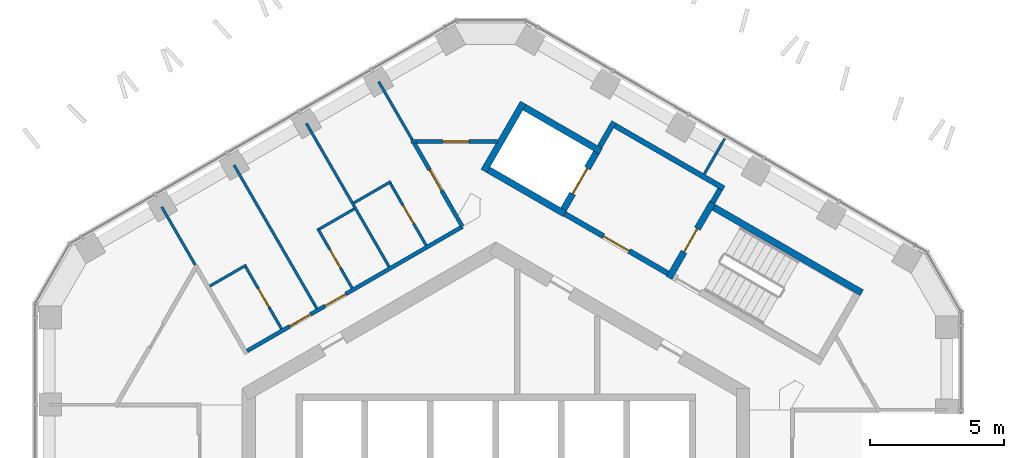
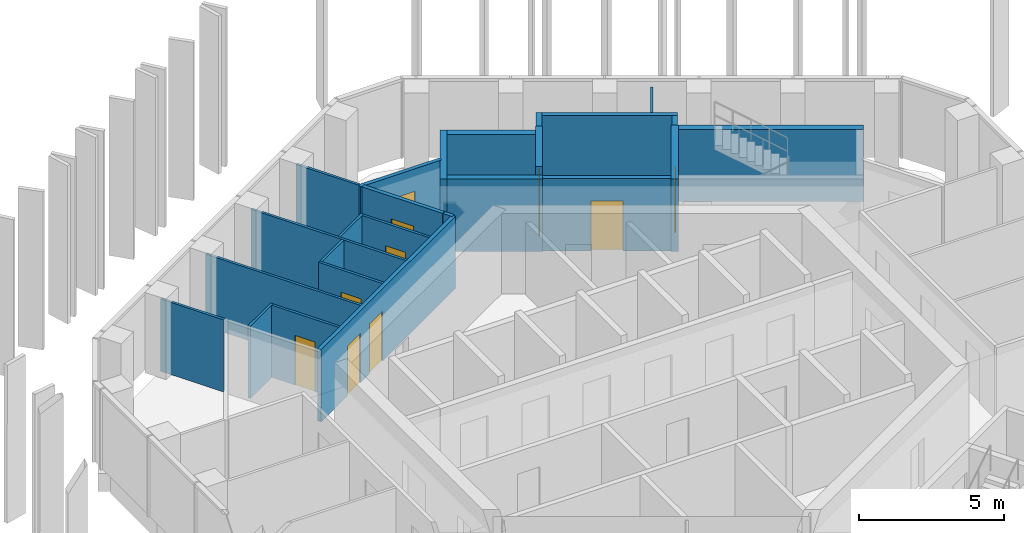
# One storey, part 14 of 18: 25 walls, 10 doors, 10 openings.
"""IFC4 building model written with IfcOpenShell, lengths in metres."""

from ifc_helpers import new_model, si_unit, direction, frame, frame_2d, origin, place, context, subcontext, project, spatial, rectangle, extrude, material, layer, layer_set, type_object, element, fill, save


model = new_model("IFC4")

# Units and contexts
model_context = context("Model", 3, precision=1e-05, world=origin(), true_north=direction((0.0, 1.0)))
body_context = subcontext(model_context, "Body", "Model", "MODEL_VIEW")
ifc_project = project(units=[si_unit("LENGTHUNIT", "METRE"), si_unit("AREAUNIT", "SQUARE_METRE"), si_unit("VOLUMEUNIT", "CUBIC_METRE"), si_unit("PLANEANGLEUNIT", "RADIAN"), si_unit("MASSUNIT", "GRAM", prefix="KILO")], contexts=[model_context])

# Site, building, storey
site_placement = place(None, origin())
site = spatial("IfcSite", under=ifc_project, at=site_placement, CompositionType="ELEMENT")
building_placement = place(site_placement, origin())
building = spatial("IfcBuilding", under=site, at=building_placement, Name="Ayvan Gate Tower", CompositionType="ELEMENT")
storey_placement = place(building_placement, frame((0.0, 0.0, 229.10009765625)))
storey = spatial("IfcBuildingStorey", under=building, at=storey_placement, Name="L61", CompositionType="ELEMENT", Elevation=229.10009765625)

# Wall, openings, doors
ifc_material_1 = material(Name="Plasterboard on steel stud", Category="steel")
ifc_layer_1 = layer(ifc_material_1, 0.14990234375)
ifc_layer_set_1 = layer_set([ifc_layer_1], Name="Plasterboard on steel stud")
wall_type_1 = type_object("IfcWallType", Name="WT-CORR-150", PredefinedType="PARTITIONING", material=ifc_layer_set_1)
wall_1_placement = place(storey_placement, frame((-9.304443359375, 6.89111328125, 0.0), z_axis=(0.0, 0.0, 1.0), x_axis=(0.86602776855, 0.499995904083, 0.0)))
wall_1 = element("IfcWall", 1, at=wall_1_placement, inside=storey, type_object=wall_type_1, Name="IW-L61-011", PredefinedType="PARTITIONING", context=body_context, shape_type="SweptSolid", body=[
    extrude(rectangle(XDim=9.2998046875, YDim=0.14990234375, at=frame_2d((4.64990234375, 0.0))), origin(), (0.0, 0.0, 1.0), 3.0498046875),
])
opening_1_placement = place(wall_1_placement, frame((3.3623046875, 0.0, 0.0)))
opening_1 = element("IfcOpeningElement", 2, at=opening_1_placement, cuts=wall_1, Name="Opening L61-D33", PredefinedType="OPENING", context=body_context, shape_type="SweptSolid", body=[
    extrude(rectangle(XDim=0.89990234375, YDim=2.10009765625, at=frame_2d((0.449951171875, 1.050048828125))), frame((0.0, 0.0849609375, 0.0), z_axis=(0.0, -1.0, 0.0), x_axis=(1.0, 0.0, 0.0)), (0.0, 0.0, 1.0), 0.169921875),
])
opening_2_placement = place(wall_1_placement, frame((1.83740234375, 0.0, 0.0)))
opening_2 = element("IfcOpeningElement", 3, at=opening_2_placement, cuts=wall_1, Name="Opening L61-D35", PredefinedType="OPENING", context=body_context, shape_type="SweptSolid", body=[
    extrude(rectangle(XDim=0.89990234375, YDim=2.10009765625, at=frame_2d((0.449951171875, 1.050048828125))), frame((0.0, 0.0849609375, 0.0), z_axis=(0.0, -1.0, 0.0), x_axis=(1.0, 0.0, 0.0)), (0.0, 0.0, 1.0), 0.169921875),
])
ifc_material_2 = material(Name="Timber door leaf", Category="wood")
door_type_1 = type_object("IfcDoorType", Name="DT-900", OperationType="NOTDEFINED", PredefinedType="DOOR", material=ifc_material_2)
door_1_placement = place(opening_1_placement, origin())
door_1 = element("IfcDoor", 4, at=door_1_placement, inside=storey, type_object=door_type_1, Name="ID-L61-033", OperationType="SINGLE_SWING_RIGHT", OverallHeight=2.10009765625, OverallWidth=0.89990234375, PredefinedType="DOOR", context=body_context, shape_type="SweptSolid", body=[
    extrude(rectangle(XDim=0.89990234375, YDim=2.10009765625, at=frame_2d((0.449951171875, 1.050048828125))), frame((0.0, 0.02490234375, 0.0), z_axis=(0.0, -1.0, 0.0), x_axis=(1.0, 0.0, 0.0)), (0.0, 0.0, 1.0), 0.050048828125),
])
fill(opening_1, door_1)
door_2_placement = place(opening_2_placement, origin())
door_2 = element("IfcDoor", 5, at=door_2_placement, inside=storey, type_object=door_type_1, Name="ID-L61-035", OperationType="SINGLE_SWING_RIGHT", OverallHeight=2.10009765625, OverallWidth=0.89990234375, PredefinedType="DOOR", context=body_context, shape_type="SweptSolid", body=[
    extrude(rectangle(XDim=0.89990234375, YDim=2.10009765625, at=frame_2d((0.449951171875, 1.050048828125))), frame((0.0, 0.02490234375, 0.0), z_axis=(0.0, -1.0, 0.0), x_axis=(1.0, 0.0, 0.0)), (0.0, 0.0, 1.0), 0.050048828125),
])
fill(opening_2, door_2)

# Wall, opening, door
wall_2_placement = place(storey_placement, frame((-3.168701171875, 14.733154296875, 0.0), z_axis=(0.0, 0.0, 1.0), x_axis=(1.0, 0.0, 0.0)))
wall_2 = element("IfcWall", 6, at=wall_2_placement, inside=storey, type_object=wall_type_1, Name="IW-L61-029", PredefinedType="PARTITIONING", context=body_context, shape_type="SweptSolid", body=[
    extrude(rectangle(XDim=3.236083984375, YDim=0.14990234375, at=frame_2d((1.6181640625, 0.0))), origin(), (0.0, 0.0, 1.0), 3.0498046875),
])
opening_3_placement = place(wall_2_placement, frame((1.1728515625, 0.0, 0.0)))
opening_3 = element("IfcOpeningElement", 7, at=opening_3_placement, cuts=wall_2, Name="Opening L61-D25", PredefinedType="OPENING", context=body_context, shape_type="SweptSolid", body=[
    extrude(rectangle(XDim=1.0, YDim=2.10009765625, at=frame_2d((0.5, 1.050048828125))), frame((0.0, 0.0849609375, 0.0), z_axis=(0.0, -1.0, 0.0), x_axis=(1.0, 0.0, 0.0)), (0.0, 0.0, 1.0), 0.169921875),
])
door_type_2 = type_object("IfcDoorType", Name="DT-1000", OperationType="NOTDEFINED", PredefinedType="DOOR", material=ifc_material_2)
door_3_placement = place(opening_3_placement, origin())
door_3 = element("IfcDoor", 8, at=door_3_placement, inside=storey, type_object=door_type_2, Name="ID-L61-025", OperationType="SINGLE_SWING_RIGHT", OverallHeight=2.10009765625, OverallWidth=1.0, PredefinedType="DOOR", context=body_context, shape_type="SweptSolid", body=[
    extrude(rectangle(XDim=1.0, YDim=2.10009765625, at=frame_2d((0.5, 1.050048828125))), frame((0.0, 0.02490234375, 0.0), z_axis=(0.0, -1.0, 0.0), x_axis=(1.0, 0.0, 0.0)), (0.0, 0.0, 1.0), 0.050048828125),
])
fill(opening_3, door_3)

wall_3_placement = place(storey_placement, frame((-1.45068359375, 11.887451171875, 0.0), z_axis=(0.0, 0.0, 1.0), x_axis=(-0.499998884236, 0.86602604797, 0.0)))
wall_3 = element("IfcWall", 9, at=wall_3_placement, inside=storey, type_object=wall_type_1, Name="IW-L61-036", PredefinedType="PARTITIONING", context=body_context, shape_type="SweptSolid", body=[
    extrude(rectangle(XDim=3.2109375, YDim=0.14990234375, at=frame_2d((1.60546875, 0.0))), origin(), (0.0, 0.0, 1.0), 3.0498046875),
])
opening_4_placement = place(wall_3_placement, frame((1.155517578125, 0.0, 0.0)))
opening_4 = element("IfcOpeningElement", 10, at=opening_4_placement, cuts=wall_3, Name="Opening L61-D31", PredefinedType="OPENING", context=body_context, shape_type="SweptSolid", body=[
    extrude(rectangle(XDim=0.89990234375, YDim=2.10009765625, at=frame_2d((0.449951171875, 1.050048828125))), frame((0.0, 0.0849609375, 0.0), z_axis=(0.0, -1.0, 0.0), x_axis=(1.0, 0.0, 0.0)), (0.0, 0.0, 1.0), 0.169921875),
])
door_4_placement = place(opening_4_placement, origin())
door_4 = element("IfcDoor", 11, at=door_4_placement, inside=storey, type_object=door_type_1, Name="ID-L61-031", OperationType="SINGLE_SWING_RIGHT", OverallHeight=2.10009765625, OverallWidth=0.89990234375, PredefinedType="DOOR", context=body_context, shape_type="SweptSolid", body=[
    extrude(rectangle(XDim=0.89990234375, YDim=2.10009765625, at=frame_2d((0.449951171875, 1.050048828125))), frame((0.0, 0.02490234375, 0.0), z_axis=(0.0, -1.0, 0.0), x_axis=(1.0, 0.0, 0.0)), (0.0, 0.0, 1.0), 0.050048828125),
])
fill(opening_4, door_4)

# Walls
wall_4_placement = place(storey_placement, frame((-1.440673828125, 11.8701171875, 0.0), z_axis=(0.0, 0.0, 1.0), x_axis=(0.500074377092, -0.865982457891, 0.0)))
element("IfcWall", 12, at=wall_4_placement, inside=storey, type_object=wall_type_1, Name="IW-L61-037", PredefinedType="PARTITIONING", context=body_context, shape_type="SweptSolid", body=[
    extrude(rectangle(XDim=0.3603515625, YDim=0.14990234375, at=frame_2d((0.18017578125, 0.0))), origin(), (0.0, 0.0, 1.0), 3.0498046875),
])
ifc_layer_2 = layer(ifc_material_1, 0.10009765625)
ifc_layer_set_2 = layer_set([ifc_layer_2], Name="Plasterboard on steel stud")
wall_type_2 = type_object("IfcWallType", Name="WT-PART-100", PredefinedType="PARTITIONING", material=ifc_layer_set_2)
wall_5_placement = place(storey_placement, frame((-12.503173828125, 12.28125, 0.0), z_axis=(0.0, 0.0, 1.0), x_axis=(0.499983837127, -0.866034735222, 0.0)))
element("IfcWall", 13, at=wall_5_placement, inside=storey, type_object=wall_type_2, Name="IW-L61-003", PredefinedType="PARTITIONING", context=body_context, shape_type="SweptSolid", body=[
    extrude(rectangle(XDim=2.50634765625, YDim=0.10009765625, at=frame_2d((1.253173828125, 0.0))), origin(), (0.0, 0.0, 1.0), 3.0498046875),
])
wall_6_placement = place(storey_placement, frame((-9.340576171875, 10.103515625, 0.0), z_axis=(0.0, 0.0, 1.0), x_axis=(-0.866002311072, -0.500039995618, 0.0)))
element("IfcWall", 14, at=wall_6_placement, inside=storey, type_object=wall_type_2, Name="IW-L61-010", PredefinedType="PARTITIONING", context=body_context, shape_type="SweptSolid", body=[
    extrude(rectangle(XDim=1.574951171875, YDim=0.10009765625, at=frame_2d((0.78759765625, 0.0))), origin(), (0.0, 0.0, 1.0), 3.0498046875),
])

# Wall, opening, door
wall_7_placement = place(storey_placement, frame((-8.021240234375, 7.718505859375, 0.0), z_axis=(0.0, 0.0, 1.0), x_axis=(-0.50003581814, 0.866004723184, 0.0)))
wall_7 = element("IfcWall", 15, at=wall_7_placement, inside=storey, type_object=wall_type_2, Name="IW-L61-015", PredefinedType="PARTITIONING", context=body_context, shape_type="SweptSolid", body=[
    extrude(rectangle(XDim=2.675048828125, YDim=0.10009765625, at=frame_2d((1.33740234375, 0.0))), origin(), (0.0, 0.0, 1.0), 3.0498046875),
])
opening_5_placement = place(wall_7_placement, frame((0.9375, 0.0, 0.0)))
opening_5 = element("IfcOpeningElement", 16, at=opening_5_placement, cuts=wall_7, Name="Opening L61-D36", PredefinedType="OPENING", context=body_context, shape_type="SweptSolid", body=[
    extrude(rectangle(XDim=0.800048828125, YDim=2.10009765625, at=frame_2d((0.39990234375, 1.050048828125))), frame((0.0, 0.06005859375, 0.0), z_axis=(0.0, -1.0, 0.0), x_axis=(1.0, 0.0, 0.0)), (0.0, 0.0, 1.0), 0.1201171875),
])
door_type_3 = type_object("IfcDoorType", Name="DT-800", OperationType="NOTDEFINED", PredefinedType="DOOR", material=ifc_material_2)
door_5_placement = place(opening_5_placement, origin())
door_5 = element("IfcDoor", 17, at=door_5_placement, inside=storey, type_object=door_type_3, Name="ID-L61-036", OperationType="SINGLE_SWING_LEFT", OverallHeight=2.10009765625, OverallWidth=0.800048828125, PredefinedType="DOOR", context=body_context, shape_type="SweptSolid", body=[
    extrude(rectangle(XDim=0.800048828125, YDim=2.10009765625, at=frame_2d((0.39990234375, 1.050048828125))), frame((0.0, 0.02490234375, 0.0), z_axis=(0.0, -1.0, 0.0), x_axis=(1.0, 0.0, 0.0)), (0.0, 0.0, 1.0), 0.050048828125),
])
fill(opening_5, door_5)

# Wall
wall_8_placement = place(storey_placement, frame((-6.70068359375, 8.48095703125, 0.0), z_axis=(0.0, 0.0, 1.0), x_axis=(-0.499997752344, 0.866026701465, 0.0)))
element("IfcWall", 18, at=wall_8_placement, inside=storey, type_object=wall_type_2, Name="IW-L61-019", PredefinedType="PARTITIONING", context=body_context, shape_type="SweptSolid", body=[
    extrude(rectangle(XDim=6.1923828125, YDim=0.10009765625, at=frame_2d((3.09619140625, 0.0))), origin(), (0.0, 0.0, 1.0), 3.0498046875),
])

# Wall, opening, door
wall_9_placement = place(storey_placement, frame((-6.66748046875, 11.473388671875, 0.0), z_axis=(0.0, 0.0, 1.0), x_axis=(0.500034319456, -0.866005588531, 0.0)))
wall_9 = element("IfcWall", 19, at=wall_9_placement, inside=storey, type_object=wall_type_2, Name="IW-L61-020", PredefinedType="PARTITIONING", context=body_context, shape_type="SweptSolid", body=[
    extrude(rectangle(XDim=2.574951171875, YDim=0.10009765625, at=frame_2d((1.28759765625, 0.0))), origin(), (0.0, 0.0, 1.0), 3.0498046875),
])
opening_6_placement = place(wall_9_placement, frame((0.91259765625, 0.0, 0.0)))
opening_6 = element("IfcOpeningElement", 20, at=opening_6_placement, cuts=wall_9, Name="Opening L61-D34", PredefinedType="OPENING", context=body_context, shape_type="SweptSolid", body=[
    extrude(rectangle(XDim=0.800048828125, YDim=2.10009765625, at=frame_2d((0.39990234375, 1.050048828125))), frame((0.0, 0.06005859375, 0.0), z_axis=(0.0, -1.0, 0.0), x_axis=(1.0, 0.0, 0.0)), (0.0, 0.0, 1.0), 0.1201171875),
])
door_6_placement = place(opening_6_placement, origin())
door_6 = element("IfcDoor", 21, at=door_6_placement, inside=storey, type_object=door_type_3, Name="ID-L61-034", OperationType="SINGLE_SWING_LEFT", OverallHeight=2.10009765625, OverallWidth=0.800048828125, PredefinedType="DOOR", context=body_context, shape_type="SweptSolid", body=[
    extrude(rectangle(XDim=0.800048828125, YDim=2.10009765625, at=frame_2d((0.39990234375, 1.050048828125))), frame((0.0, 0.02490234375, 0.0), z_axis=(0.0, -1.0, 0.0), x_axis=(1.0, 0.0, 0.0)), (0.0, 0.0, 1.0), 0.050048828125),
])
fill(opening_6, door_6)

# Walls
wall_10_placement = place(storey_placement, frame((-5.30029296875, 12.205078125, 0.0), z_axis=(0.0, 0.0, 1.0), x_axis=(-0.86599040064, -0.500060622324, 0.0)))
element("IfcWall", 22, at=wall_10_placement, inside=storey, type_object=wall_type_2, Name="IW-L61-023", PredefinedType="PARTITIONING", context=body_context, shape_type="SweptSolid", body=[
    extrude(rectangle(XDim=1.499755859375, YDim=0.10009765625, at=frame_2d((0.75, 0.0))), origin(), (0.0, 0.0, 1.0), 3.0498046875),
])
wall_11_placement = place(storey_placement, frame((-3.927978515625, 13.228271484375, 0.0), z_axis=(0.0, 0.0, 1.0), x_axis=(-0.866028054938, -0.499995408039, 0.0)))
element("IfcWall", 23, at=wall_11_placement, inside=storey, type_object=wall_type_2, Name="IW-L61-025", PredefinedType="PARTITIONING", context=body_context, shape_type="SweptSolid", body=[
    extrude(rectangle(XDim=1.60009765625, YDim=0.10009765625, at=frame_2d((0.800048828125, 0.0))), origin(), (0.0, 0.0, 1.0), 3.0498046875),
])
wall_12_placement = place(storey_placement, frame((-3.994384765625, 10.04345703125, 0.0), z_axis=(0.0, 0.0, 1.0), x_axis=(-0.499997752344, 0.866026701465, 0.0)))
element("IfcWall", 24, at=wall_12_placement, inside=storey, type_object=wall_type_2, Name="IW-L61-026", PredefinedType="PARTITIONING", context=body_context, shape_type="SweptSolid", body=[
    extrude(rectangle(XDim=6.1923828125, YDim=0.10009765625, at=frame_2d((3.09619140625, 0.0))), origin(), (0.0, 0.0, 1.0), 3.0498046875),
])
wall_13_placement = place(storey_placement, frame((-3.131103515625, 14.798095703125, 0.0), z_axis=(0.0, 0.0, 1.0), x_axis=(-0.499983837127, 0.866034735222, 0.0)))
element("IfcWall", 25, at=wall_13_placement, inside=storey, type_object=wall_type_2, Name="IW-L61-028", PredefinedType="PARTITIONING", context=body_context, shape_type="SweptSolid", body=[
    extrude(rectangle(XDim=2.50634765625, YDim=0.10009765625, at=frame_2d((1.253173828125, 0.0))), origin(), (0.0, 0.0, 1.0), 3.0498046875),
])

# Wall, opening, door
wall_14_placement = place(storey_placement, frame((-2.608642578125, 10.843505859375, 0.0), z_axis=(0.0, 0.0, 1.0), x_axis=(-0.50007534113, 0.865981901193, 0.0)))
wall_14 = element("IfcWall", 26, at=wall_14_placement, inside=storey, type_object=wall_type_2, Name="IW-L61-032", PredefinedType="PARTITIONING", context=body_context, shape_type="SweptSolid", body=[
    extrude(rectangle(XDim=2.6748046875, YDim=0.10009765625, at=frame_2d((1.33740234375, 0.0))), origin(), (0.0, 0.0, 1.0), 3.0498046875),
])
opening_7_placement = place(wall_14_placement, frame((0.9375, 0.0, 0.0)))
opening_7 = element("IfcOpeningElement", 27, at=opening_7_placement, cuts=wall_14, Name="Opening L61-D32", PredefinedType="OPENING", context=body_context, shape_type="SweptSolid", body=[
    extrude(rectangle(XDim=0.800048828125, YDim=2.10009765625, at=frame_2d((0.39990234375, 1.050048828125))), frame((0.0, 0.06005859375, 0.0), z_axis=(0.0, -1.0, 0.0), x_axis=(1.0, 0.0, 0.0)), (0.0, 0.0, 1.0), 0.1201171875),
])
door_7_placement = place(opening_7_placement, origin())
door_7 = element("IfcDoor", 28, at=door_7_placement, inside=storey, type_object=door_type_3, Name="ID-L61-032", OperationType="SINGLE_SWING_LEFT", OverallHeight=2.10009765625, OverallWidth=0.800048828125, PredefinedType="DOOR", context=body_context, shape_type="SweptSolid", body=[
    extrude(rectangle(XDim=0.800048828125, YDim=2.10009765625, at=frame_2d((0.39990234375, 1.050048828125))), frame((0.0, 0.02490234375, 0.0), z_axis=(0.0, -1.0, 0.0), x_axis=(1.0, 0.0, 0.0)), (0.0, 0.0, 1.0), 0.050048828125),
])
fill(opening_7, door_7)

# Walls
wall_15_placement = place(storey_placement, frame((7.800048828125, 13.510009765625, 0.0), z_axis=(0.0, 0.0, 1.0), x_axis=(0.499948000906, 0.866055423394, 0.0)))
element("IfcWall", 29, at=wall_15_placement, inside=storey, type_object=wall_type_2, Name="IW-L61-066", PredefinedType="PARTITIONING", context=body_context, shape_type="SweptSolid", body=[
    extrude(rectangle(XDim=1.530517578125, YDim=0.10009765625, at=frame_2d((0.76513671875, 0.0))), origin(), (0.0, 0.0, 1.0), 3.0498046875),
])
ifc_layer_3 = layer(ifc_material_1, 0.199951171875)
ifc_layer_set_3 = layer_set([ifc_layer_3], Name="Plasterboard on steel stud")
wall_type_3 = type_object("IfcWallType", Name="WT-RATED-200", PredefinedType="PARTITIONING", material=ifc_layer_set_3)
wall_16_placement = place(storey_placement, frame((3.885009765625, 14.52880859375, 0.0), z_axis=(0.0, 0.0, 1.0), x_axis=(0.499997628298, 0.866026773083, 0.0)))
element("IfcWall", 30, at=wall_16_placement, inside=storey, type_object=wall_type_3, Name="IW-L61-052", PredefinedType="PARTITIONING", context=body_context, shape_type="SweptSolid", body=[
    extrude(rectangle(XDim=1.0751953125, YDim=0.199951171875, at=frame_2d((0.53759765625, 0.0))), origin(), (0.0, 0.0, 1.0), 3.0498046875),
])
wall_17_placement = place(storey_placement, frame((4.458984375, 15.323486328125, 0.0), z_axis=(0.0, 0.0, 1.0), x_axis=(0.866016039709, -0.500016218704, 0.0)))
element("IfcWall", 31, at=wall_17_placement, inside=storey, type_object=wall_type_3, Name="IW-L61-053", PredefinedType="PARTITIONING", context=body_context, shape_type="SweptSolid", body=[
    extrude(rectangle(XDim=4.699951171875, YDim=0.199951171875, at=frame_2d((2.35009765625, 0.0))), origin(), (0.0, 0.0, 1.0), 3.0498046875),
])

# Wall, opening, door
wall_18_placement = place(storey_placement, frame((6.4345703125, 9.794921875, 0.0), z_axis=(0.0, 0.0, 1.0), x_axis=(-0.866012907634, 0.500021643343, 0.0)))
wall_18 = element("IfcWall", 32, at=wall_18_placement, inside=storey, type_object=wall_type_3, Name="IW-L61-058", PredefinedType="PARTITIONING", context=body_context, shape_type="SweptSolid", body=[
    extrude(rectangle(XDim=4.449951171875, YDim=0.199951171875, at=frame_2d((2.22509765625, 0.0))), origin(), (0.0, 0.0, 1.0), 3.0498046875),
])
opening_8_placement = place(wall_18_placement, frame((1.675048828125, 0.0, 0.0)))
opening_8 = element("IfcOpeningElement", 33, at=opening_8_placement, cuts=wall_18, Name="Opening L61-D12", PredefinedType="OPENING", context=body_context, shape_type="SweptSolid", body=[
    extrude(rectangle(XDim=1.10009765625, YDim=2.10009765625, at=frame_2d((0.550048828125, 1.050048828125))), frame((0.0, 0.10986328125, 0.0), z_axis=(0.0, -1.0, 0.0), x_axis=(1.0, 0.0, 0.0)), (0.0, 0.0, 1.0), 0.219970703125),
])
door_type_4 = type_object("IfcDoorType", Name="DT-1100", OperationType="NOTDEFINED", PredefinedType="DOOR", material=ifc_material_2)
door_8_placement = place(opening_8_placement, origin())
door_8 = element("IfcDoor", 34, at=door_8_placement, inside=storey, type_object=door_type_4, Name="ID-L61-012", OperationType="SINGLE_SWING_LEFT", OverallHeight=2.10009765625, OverallWidth=1.10009765625, PredefinedType="DOOR", context=body_context, shape_type="SweptSolid", body=[
    extrude(rectangle(XDim=1.10009765625, YDim=2.10009765625, at=frame_2d((0.550048828125, 1.050048828125))), frame((0.0, 0.02490234375, 0.0), z_axis=(0.0, -1.0, 0.0), x_axis=(1.0, 0.0, 0.0)), (0.0, 0.0, 1.0), 0.050048828125),
])
fill(opening_8, door_8)

# Walls
wall_19_placement = place(storey_placement, frame((8.392822265625, 12.936767578125, 0.0), z_axis=(0.0, 0.0, 1.0), x_axis=(-0.500065409566, -0.86598763626, 0.0)))
element("IfcWall", 35, at=wall_19_placement, inside=storey, type_object=wall_type_3, Name="IW-L61-068", PredefinedType="PARTITIONING", context=body_context, shape_type="SweptSolid", body=[
    extrude(rectangle(XDim=0.5751953125, YDim=0.199951171875, at=frame_2d((0.28759765625, 0.0))), origin(), (0.0, 0.0, 1.0), 3.0498046875),
])
ifc_material_3 = material(Name="Concrete C50/60", Category="concrete")
ifc_layer_4 = layer(ifc_material_3, 0.25)
ifc_layer_set_4 = layer_set([ifc_layer_4], Name="Concrete C50/60")
wall_type_4 = type_object("IfcWallType", Name="WT-RC-250", PredefinedType="SHEAR", material=ifc_layer_set_4)
wall_20_placement = place(storey_placement, frame((-0.447998046875, 13.624267578125, 0.0), z_axis=(0.0, 0.0, 1.0), x_axis=(0.500037662692, 0.866003658127, 0.0)))
element("IfcWall", 36, at=wall_20_placement, inside=storey, type_object=wall_type_4, Name="IW-L61-039", PredefinedType="SHEAR", context=body_context, shape_type="SweptSolid", body=[
    extrude(rectangle(XDim=2.949951171875, YDim=0.25, at=frame_2d((1.47509765625, 0.0))), origin(), (0.0, 0.0, 1.0), 3.0498046875),
])
for number, where, z_axis, x_axis, name in (
    (37, (1.072998046875, 16.00830078125, 0.0), (0.0, 0.0, 1.0), (0.866040211805, -0.499974350878, 0.0), "IW-L61-044"),
    (38, (2.580810546875, 12.02001953125, 0.0), (0.0, 0.0, 1.0), (-0.866040211805, 0.499974350878, 0.0), "IW-L61-048"),
):
    element("IfcWall", number, at=place(storey_placement, frame(where, z_axis=z_axis, x_axis=x_axis)), inside=storey, type_object=wall_type_4, Name=name, PredefinedType="SHEAR", context=body_context, shape_type="SweptSolid", body=[
        extrude(rectangle(XDim=3.300048828125, YDim=0.25, at=frame_2d((1.64990234375, 0.0))), origin(), (0.0, 0.0, 1.0), 3.0498046875),
    ])

# Wall, opening, door
wall_21_placement = place(storey_placement, frame((2.534912109375, 12.19091796875, 0.0), z_axis=(0.0, 0.0, 1.0), x_axis=(0.500061746146, 0.865989751695, 0.0)))
wall_21 = element("IfcWall", 39, at=wall_21_placement, inside=storey, type_object=wall_type_4, Name="IW-L61-049", PredefinedType="SHEAR", context=body_context, shape_type="SweptSolid", body=[
    extrude(rectangle(XDim=2.449951171875, YDim=0.25, at=frame_2d((1.22509765625, 0.0))), origin(), (0.0, 0.0, 1.0), 3.39990234375),
])
opening_9_placement = place(wall_21_placement, frame((0.675048828125, 0.0, 0.0)))
opening_9 = element("IfcOpeningElement", 40, at=opening_9_placement, cuts=wall_21, Name="Opening L61-LD-FF1", PredefinedType="OPENING", context=body_context, shape_type="SweptSolid", body=[
    extrude(rectangle(XDim=1.10009765625, YDim=2.10009765625, at=frame_2d((0.550048828125, 1.050048828125))), frame((0.0, 0.135009765625, 0.0), z_axis=(0.0, -1.0, 0.0), x_axis=(1.0, 0.0, 0.0)), (0.0, 0.0, 1.0), 0.27001953125),
])
ifc_material_4 = material(Name="Stainless steel landing door", Category="steel")
door_type_5 = type_object("IfcDoorType", Name="DT-LANDING-1100", OperationType="SLIDING_TO_LEFT", PredefinedType="DOOR", material=ifc_material_4)
door_9_placement = place(opening_9_placement, origin())
door_9 = element("IfcDoor", 41, at=door_9_placement, inside=storey, type_object=door_type_5, Name="ID-L61-013", OperationType="SLIDING_TO_LEFT", OverallHeight=2.10009765625, OverallWidth=1.10009765625, PredefinedType="DOOR", context=body_context, shape_type="SweptSolid", body=[
    extrude(rectangle(XDim=1.10009765625, YDim=2.10009765625, at=frame_2d((0.550048828125, 1.050048828125))), frame((0.0, 0.02490234375, 0.0), z_axis=(0.0, -1.0, 0.0), x_axis=(1.0, 0.0, 0.0)), (0.0, 0.0, 1.0), 0.050048828125),
])
fill(opening_9, door_9)

wall_22_placement = place(storey_placement, frame((6.480224609375, 9.624267578125, 0.0), z_axis=(0.0, 0.0, 1.0), x_axis=(0.500017246033, 0.866015446554, 0.0)))
wall_22 = element("IfcWall", 42, at=wall_22_placement, inside=storey, type_object=wall_type_4, Name="IW-L61-059", PredefinedType="SHEAR", context=body_context, shape_type="SweptSolid", body=[
    extrude(rectangle(XDim=3.25, YDim=0.25, at=frame_2d((1.625, 0.0))), origin(), (0.0, 0.0, 1.0), 3.0498046875),
])
opening_10_placement = place(wall_22_placement, frame((1.125, 0.0, 0.0)))
opening_10 = element("IfcOpeningElement", 43, at=opening_10_placement, cuts=wall_22, Name="Opening L61-D11", PredefinedType="OPENING", context=body_context, shape_type="SweptSolid", body=[
    extrude(rectangle(XDim=1.0, YDim=2.10009765625, at=frame_2d((0.5, 1.050048828125))), frame((0.0, 0.135009765625, 0.0), z_axis=(0.0, -1.0, 0.0), x_axis=(1.0, 0.0, 0.0)), (0.0, 0.0, 1.0), 0.27001953125),
])
door_10_placement = place(opening_10_placement, origin())
door_10 = element("IfcDoor", 44, at=door_10_placement, inside=storey, type_object=door_type_2, Name="ID-L61-011", OperationType="SINGLE_SWING_RIGHT", OverallHeight=2.10009765625, OverallWidth=1.0, PredefinedType="DOOR", context=body_context, shape_type="SweptSolid", body=[
    extrude(rectangle(XDim=1.0, YDim=2.10009765625, at=frame_2d((0.5, 1.050048828125))), frame((0.0, 0.02490234375, 0.0), z_axis=(0.0, -1.0, 0.0), x_axis=(1.0, 0.0, 0.0)), (0.0, 0.0, 1.0), 0.050048828125),
])
fill(opening_10, door_10)

# Wall
wall_23_placement = place(storey_placement, frame((8.151123046875, 12.26806640625, 0.0), z_axis=(0.0, 0.0, 1.0), x_axis=(0.866025499775, -0.499999833739, 0.0)))
element("IfcWall", 45, at=wall_23_placement, inside=storey, type_object=wall_type_4, Name="IW-L61-067", PredefinedType="SHEAR", context=body_context, shape_type="SweptSolid", body=[
    extrude(rectangle(XDim=6.39990234375, YDim=0.25, at=frame_2d((3.199951171875, 0.0))), origin(), (0.0, 0.0, 1.0), 3.0498046875),
])

save(model, "model.ifc")
